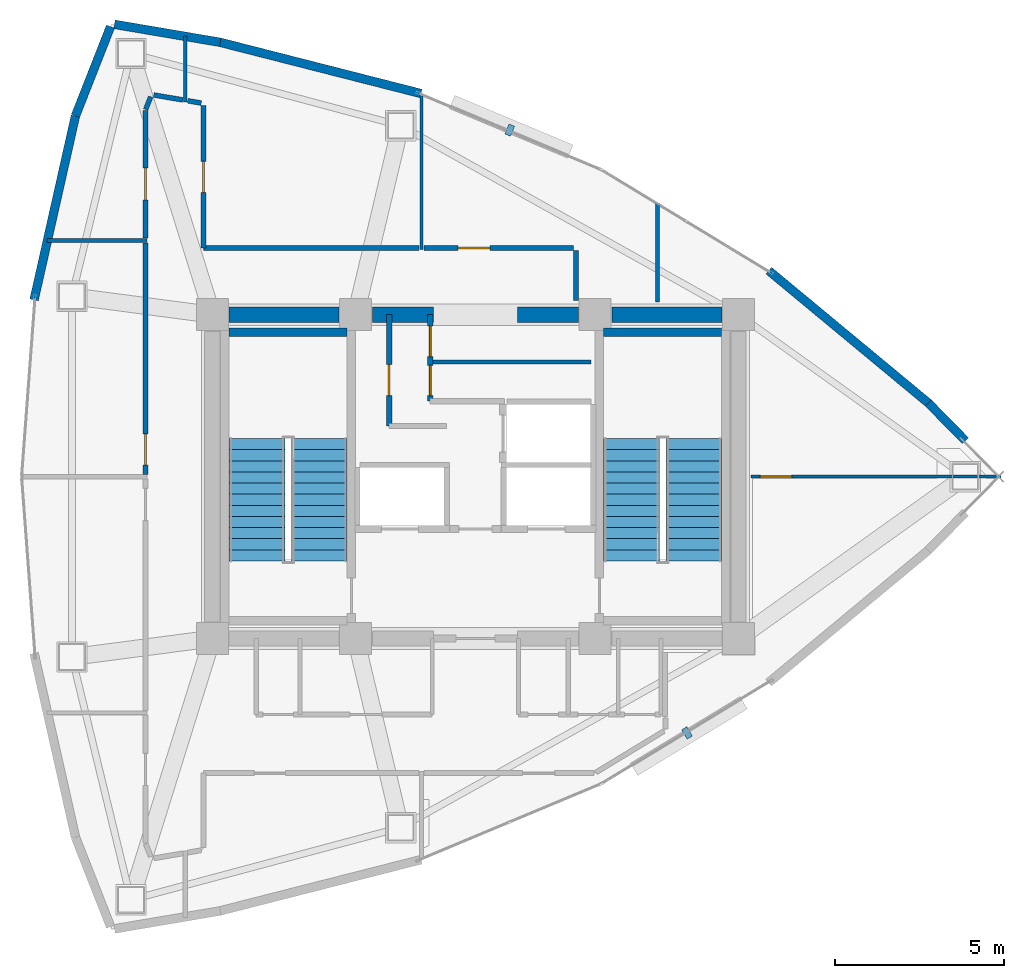
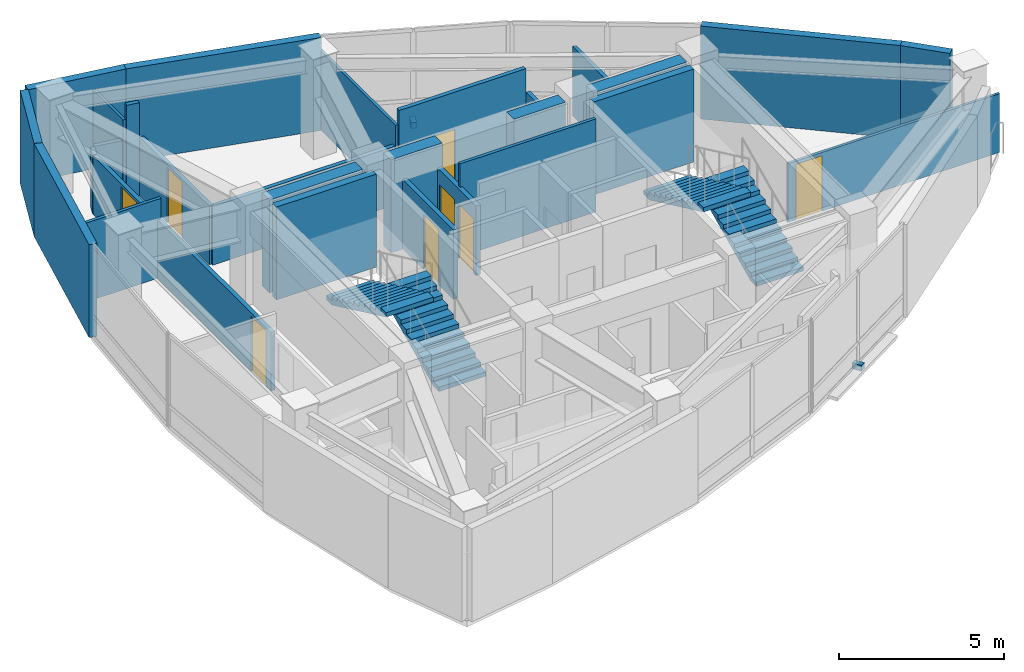
# One storey, part 13 of 15: 29 walls, 8 doors, 4 stair flights, 2 discrete accessories, 8 openings, 2 elements without a shape of their own.
"""IFC4 building model written with IfcOpenShell, lengths in metres."""

from ifc_helpers import new_model, si_unit, direction, frame, frame_2d, origin, origin_2d, place, context, subcontext, project, spatial, polyline, rectangle, outline, extrude, material, layer, layer_set, type_object, element, fill, aggregate, save


model = new_model("IFC4")

# Units and contexts
model_context = context("Model", 3, precision=1e-05, world=origin(), true_north=direction((0.0, 1.0)))
body_context = subcontext(model_context, "Body", "Model", "MODEL_VIEW")
ifc_project = project(units=[si_unit("LENGTHUNIT", "METRE"), si_unit("AREAUNIT", "SQUARE_METRE"), si_unit("VOLUMEUNIT", "CUBIC_METRE"), si_unit("PLANEANGLEUNIT", "RADIAN"), si_unit("MASSUNIT", "GRAM", prefix="KILO")], contexts=[model_context])

# Site, building, storey
site_placement = place(None, origin())
site = spatial("IfcSite", under=ifc_project, at=site_placement, CompositionType="ELEMENT")
building_placement = place(site_placement, origin())
building = spatial("IfcBuilding", under=site, at=building_placement, Name="Menara Vayukalpa", CompositionType="ELEMENT")
storey_placement = place(building_placement, frame((0.0, 0.0, 295.5)))
storey = spatial("IfcBuildingStorey", under=building, at=storey_placement, Name="L75", CompositionType="ELEMENT", Elevation=295.5)

# Walls
ifc_material_1 = material(Name="Concrete C50/60", Category="concrete")
ifc_layer_1 = layer(ifc_material_1, 0.449951171875)
ifc_layer_set_1 = layer_set([ifc_layer_1], Name="Concrete C50/60")
wall_type_1 = type_object("IfcWallType", Name="WAL-CW450", PredefinedType="SHEAR", material=ifc_layer_set_1)
wall_1_placement = place(storey_placement, frame((18.294921875, 26.800048828125, 0.0), z_axis=(0.0, 0.0, 1.0), x_axis=(1.0, 0.0, 0.0)))
element("IfcWall", 1, at=wall_1_placement, inside=storey, type_object=wall_type_1, Name="L75 Buttressed Core Shear Wall CWN1", PredefinedType="SHEAR", context=body_context, shape_type="SweptSolid", body=[
    extrude(rectangle(XDim=3.260009765625, YDim=0.449951171875, at=frame_2d((1.6298828125, 0.0))), origin(), (0.0, 0.0, 1.0), 3.43994140625),
])
wall_2_placement = place(storey_placement, frame((22.544921875, 26.800048828125, 0.0), z_axis=(0.0, 0.0, 1.0), x_axis=(1.0, 0.0, 0.0)))
element("IfcWall", 2, at=wall_2_placement, inside=storey, type_object=wall_type_1, Name="L75 Buttressed Core Shear Wall CWN2", PredefinedType="SHEAR", context=body_context, shape_type="SweptSolid", body=[
    extrude(rectangle(XDim=1.80517578125, YDim=0.449951171875, at=frame_2d((0.902587890625, 0.0))), origin(), (0.0, 0.0, 1.0), 3.43994140625),
])
wall_3_placement = place(storey_placement, frame((26.85009765625, 26.800048828125, 0.0), z_axis=(0.0, 0.0, 1.0), x_axis=(1.0, 0.0, 0.0)))
element("IfcWall", 3, at=wall_3_placement, inside=storey, type_object=wall_type_1, Name="L75 Buttressed Core Shear Wall CWN3", PredefinedType="SHEAR", context=body_context, shape_type="SweptSolid", body=[
    extrude(rectangle(XDim=1.804931640625, YDim=0.449951171875, at=frame_2d((0.90234375, 0.0))), origin(), (0.0, 0.0, 1.0), 3.43994140625),
])
wall_4_placement = place(storey_placement, frame((29.64501953125, 26.800048828125, 0.0), z_axis=(0.0, 0.0, 1.0), x_axis=(1.0, 0.0, 0.0)))
element("IfcWall", 4, at=wall_4_placement, inside=storey, type_object=wall_type_1, Name="L75 Buttressed Core Shear Wall CWN4", PredefinedType="SHEAR", context=body_context, shape_type="SweptSolid", body=[
    extrude(rectangle(XDim=3.260009765625, YDim=0.449951171875, at=frame_2d((1.6298828125, 0.0))), origin(), (0.0, 0.0, 1.0), 3.43994140625),
])
ifc_material_2 = material(Name="Insulated Precast Concrete C40/50", Category="concrete")
ifc_layer_2 = layer(ifc_material_2, 0.260009765625)
ifc_layer_set_2 = layer_set([ifc_layer_2], Name="Insulated Precast Concrete C40/50")
wall_type_2 = type_object("IfcWallType", Name="WAL-EXT260", PredefinedType="PARTITIONING", material=ifc_layer_set_2)
wall_5_placement = place(storey_placement, frame((39.023681640625, 24.188232421875, 0.0), z_axis=(0.0, 0.0, 1.0), x_axis=(0.700470648387, -0.71368121087, 0.0)))
element("IfcWall", 5, at=wall_5_placement, inside=storey, type_object=wall_type_2, Name="L75 Perimeter Terracotta Pier Wall 02", PredefinedType="PARTITIONING", context=body_context, shape_type="SweptSolid", body=[
    extrude(rectangle(XDim=1.57080078125, YDim=0.260009765625, at=frame_2d((0.785400390625, 0.0))), origin(), (0.0, 0.0, 1.0), 3.43994140625),
])
wall_6_placement = place(storey_placement, frame((34.295166015625, 28.1083984375, 0.0), z_axis=(0.0, 0.0, 1.0), x_axis=(0.769779830138, -0.638309496337, 0.0)))
element("IfcWall", 6, at=wall_6_placement, inside=storey, type_object=wall_type_2, Name="L75 Perimeter Terracotta Pier Wall 03", PredefinedType="PARTITIONING", context=body_context, shape_type="SweptSolid", body=[
    extrude(rectangle(XDim=6.154052734375, YDim=0.260009765625, at=frame_2d((3.0771484375, 0.0))), origin(), (0.0, 0.0, 1.0), 3.43994140625),
])
wall_7_placement = place(storey_placement, frame((18.0244140625, 34.878662109375, 0.0), z_axis=(0.0, 0.0, 1.0), x_axis=(0.968988278672, -0.247106689096, 0.0)))
element("IfcWall", 7, at=wall_7_placement, inside=storey, type_object=wall_type_2, Name="L75 Perimeter Terracotta Pier Wall 06", PredefinedType="PARTITIONING", context=body_context, shape_type="SweptSolid", body=[
    extrude(rectangle(XDim=6.154296875, YDim=0.260009765625, at=frame_2d((3.0771484375, 0.0))), origin(), (0.0, 0.0, 1.0), 3.43994140625),
])
wall_8_placement = place(storey_placement, frame((14.900146484375, 35.40869140625, 0.0), z_axis=(0.0, 0.0, 1.0), x_axis=(0.985889432766, -0.167397808709, 0.0)))
element("IfcWall", 8, at=wall_8_placement, inside=storey, type_object=wall_type_2, Name="L75 Perimeter Terracotta Pier Wall 07", PredefinedType="PARTITIONING", context=body_context, shape_type="SweptSolid", body=[
    extrude(rectangle(XDim=3.180908203125, YDim=0.260009765625, at=frame_2d((1.59033203125, 0.0))), origin(), (0.0, 0.0, 1.0), 3.43994140625),
])
wall_9_placement = place(storey_placement, frame((13.741943359375, 32.693359375, 0.0), z_axis=(0.0, 0.0, 1.0), x_axis=(0.36559927932, 0.930772349697, 0.0)))
element("IfcWall", 9, at=wall_9_placement, inside=storey, type_object=wall_type_2, Name="L75 Perimeter Terracotta Pier Wall 08", PredefinedType="PARTITIONING", context=body_context, shape_type="SweptSolid", body=[
    extrude(rectangle(XDim=2.845458984375, YDim=0.260009765625, at=frame_2d((1.4228515625, 0.0))), origin(), (0.0, 0.0, 1.0), 3.43994140625),
])
wall_10_placement = place(storey_placement, frame((12.514892578125, 27.239501953125, 0.0), z_axis=(0.0, 0.0, 1.0), x_axis=(0.219500763731, 0.97561232809, 0.0)))
element("IfcWall", 10, at=wall_10_placement, inside=storey, type_object=wall_type_2, Name="L75 Perimeter Terracotta Pier Wall 09", PredefinedType="PARTITIONING", context=body_context, shape_type="SweptSolid", body=[
    extrude(rectangle(XDim=5.590087890625, YDim=0.260009765625, at=frame_2d((2.794921875, 0.0))), origin(), (0.0, 0.0, 1.0), 3.43994140625),
])

# Wall, opening, door
ifc_material_3 = material(Name="Lightweight Concrete Blockwork C16/20", Category="masonry")
ifc_layer_3 = layer(ifc_material_3, 0.159912109375)
ifc_layer_set_3 = layer_set([ifc_layer_3], Name="Lightweight Concrete Blockwork C16/20")
wall_type_3 = type_object("IfcWallType", Name="WAL-FR150", PredefinedType="PARTITIONING", material=ifc_layer_set_3)
wall_11_placement = place(storey_placement, frame((23.0400390625, 23.5, 0.0), z_axis=(0.0, 0.0, 1.0), x_axis=(0.0, 1.0, 0.0)))
wall_11 = element("IfcWall", 11, at=wall_11_placement, inside=storey, type_object=wall_type_3, Name="L75 Interior Partition IW-L75-LV7WB", PredefinedType="PARTITIONING", context=body_context, shape_type="SweptSolid", body=[
    extrude(rectangle(XDim=3.300048828125, YDim=0.159912109375, at=frame_2d((1.64990234375, 0.0))), origin(), (0.0, 0.0, 1.0), 2.570068359375),
])
opening_1_placement = place(wall_11_placement, frame((0.89990234375, 0.0, 0.0)))
opening_1 = element("IfcOpeningElement", 12, at=opening_1_placement, cuts=wall_11, Name="Opening ID6", PredefinedType="OPENING", context=body_context, shape_type="SweptSolid", body=[
    extrude(rectangle(XDim=0.919921875, YDim=2.050048828125, at=frame_2d((0.4599609375, 1.02490234375))), frame((0.0, 0.08984375, 0.0), z_axis=(0.0, -1.0, 0.0), x_axis=(1.0, 0.0, 0.0)), (0.0, 0.0, 1.0), 0.179931640625),
])
ifc_material_4 = material(Name="Acoustic Hardwood Veneer Timber Door", Category="wood")
door_type_1 = type_object("IfcDoorType", Name="DR-INT92", OperationType="NOTDEFINED", PredefinedType="DOOR", material=ifc_material_4)
door_1_placement = place(opening_1_placement, origin())
door_1 = element("IfcDoor", 13, at=door_1_placement, inside=storey, type_object=door_type_1, Name="L75 Interior Door DR-L75-LV7W", OperationType="SINGLE_SWING_LEFT", OverallHeight=2.050048828125, OverallWidth=0.919921875, PredefinedType="DOOR", context=body_context, shape_type="SweptSolid", body=[
    extrude(rectangle(XDim=0.919921875, YDim=2.050048828125, at=frame_2d((0.4599609375, 1.02490234375))), frame((0.0, 0.02490234375, 0.0), z_axis=(0.0, -1.0, 0.0), x_axis=(1.0, 0.0, 0.0)), (0.0, 0.0, 1.0), 0.050048828125),
])
fill(opening_1, door_1)

# Wall, openings, doors
wall_12_placement = place(storey_placement, frame((24.260009765625, 24.239990234375, 0.0), z_axis=(0.0, 0.0, 1.0), x_axis=(0.0, 1.0, 0.0)))
wall_12 = element("IfcWall", 14, at=wall_12_placement, inside=storey, type_object=wall_type_3, Name="L75 Interior Partition IW-L75-LV7EB", PredefinedType="PARTITIONING", context=body_context, shape_type="SweptSolid", body=[
    extrude(rectangle(XDim=2.56005859375, YDim=0.159912109375, at=frame_2d((1.280029296875, 0.0))), origin(), (0.0, 0.0, 1.0), 2.570068359375),
])
opening_2_placement = place(wall_12_placement, frame((0.159912109375, 0.0, 0.0)))
opening_2 = element("IfcOpeningElement", 15, at=opening_2_placement, cuts=wall_12, Name="Opening ID7", PredefinedType="OPENING", context=body_context, shape_type="SweptSolid", body=[
    extrude(rectangle(XDim=0.89990234375, YDim=2.02001953125, at=frame_2d((0.449951171875, 1.010009765625))), frame((0.0, 0.08984375, 0.0), z_axis=(0.0, -1.0, 0.0), x_axis=(1.0, 0.0, 0.0)), (0.0, 0.0, 1.0), 0.179931640625),
])
opening_3_placement = place(wall_12_placement, frame((1.320068359375, 0.0, 0.0)))
opening_3 = element("IfcOpeningElement", 16, at=opening_3_placement, cuts=wall_12, Name="Opening ID7", PredefinedType="OPENING", context=body_context, shape_type="SweptSolid", body=[
    extrude(rectangle(XDim=0.89990234375, YDim=2.02001953125, at=frame_2d((0.449951171875, 1.010009765625))), frame((0.0, 0.08984375, 0.0), z_axis=(0.0, -1.0, 0.0), x_axis=(1.0, 0.0, 0.0)), (0.0, 0.0, 1.0), 0.179931640625),
])
ifc_material_5 = material(Name="Powder-Coated Steel Riser Access Door", Category="steel")
door_type_2 = type_object("IfcDoorType", Name="DR-RISER", OperationType="NOTDEFINED", PredefinedType="DOOR", material=ifc_material_5)
door_2_placement = place(opening_2_placement, origin())
door_2 = element("IfcDoor", 17, at=door_2_placement, inside=storey, type_object=door_type_2, Name="L75 Interior Door DR-L75-LV7E1", OperationType="SINGLE_SWING_RIGHT", OverallHeight=2.02001953125, OverallWidth=0.89990234375, PredefinedType="DOOR", context=body_context, shape_type="SweptSolid", body=[
    extrude(rectangle(XDim=0.89990234375, YDim=2.02001953125, at=frame_2d((0.449951171875, 1.010009765625))), frame((0.0, 0.02490234375, 0.0), z_axis=(0.0, -1.0, 0.0), x_axis=(1.0, 0.0, 0.0)), (0.0, 0.0, 1.0), 0.050048828125),
])
fill(opening_2, door_2)
door_3_placement = place(opening_3_placement, origin())
door_3 = element("IfcDoor", 18, at=door_3_placement, inside=storey, type_object=door_type_2, Name="L75 Interior Door DR-L75-LV7E2", OperationType="SINGLE_SWING_LEFT", OverallHeight=2.02001953125, OverallWidth=0.89990234375, PredefinedType="DOOR", context=body_context, shape_type="SweptSolid", body=[
    extrude(rectangle(XDim=0.89990234375, YDim=2.02001953125, at=frame_2d((0.449951171875, 1.010009765625))), frame((0.0, 0.02490234375, 0.0), z_axis=(0.0, -1.0, 0.0), x_axis=(1.0, 0.0, 0.0)), (0.0, 0.0, 1.0), 0.050048828125),
])
fill(opening_3, door_3)

# Walls
ifc_material_6 = material(Name="Glazed Demountable Office Partition", Category="glass")
ifc_layer_4 = layer(ifc_material_6, 0.094970703125)
ifc_layer_set_4 = layer_set([ifc_layer_4], Name="Glazed Demountable Office Partition")
wall_type_4 = type_object("IfcWallType", Name="WAL-PT100", PredefinedType="PARTITIONING", material=ifc_layer_set_4)
wall_13_placement = place(storey_placement, frame((17.0, 33.1044921875, 0.0), z_axis=(0.0, 0.0, 1.0), x_axis=(0.0, 1.0, 0.0)))
element("IfcWall", 19, at=wall_13_placement, inside=storey, type_object=wall_type_4, Name="L75 Interior Partition IW-L75-RDIV02", PredefinedType="PARTITIONING", context=body_context, shape_type="SweptSolid", body=[
    extrude(rectangle(XDim=1.957763671875, YDim=0.094970703125, at=frame_2d((0.97900390625, 0.0))), origin(), (0.0, 0.0, 1.0), 2.919921875),
])
wall_14_placement = place(storey_placement, frame((24.0, 28.72998046875, 0.0), z_axis=(0.0, 0.0, 1.0), x_axis=(0.0, 1.0, 0.0)))
element("IfcWall", 20, at=wall_14_placement, inside=storey, type_object=wall_type_4, Name="L75 Interior Partition IW-L75-RDIV04", PredefinedType="PARTITIONING", context=body_context, shape_type="SweptSolid", body=[
    extrude(rectangle(XDim=4.6162109375, YDim=0.094970703125, at=frame_2d((2.30810546875, 0.0))), origin(), (0.0, 0.0, 1.0), 2.919921875),
])

# Wall, opening, door
wall_15_placement = place(storey_placement, frame((33.77001953125, 22.0, 0.0), z_axis=(0.0, 0.0, 1.0), x_axis=(1.0, 0.0, 0.0)))
wall_15 = element("IfcWall", 21, at=wall_15_placement, inside=storey, type_object=wall_type_4, Name="L75 Interior Partition IW-L75-RDIV08", PredefinedType="PARTITIONING", context=body_context, shape_type="SweptSolid", body=[
    extrude(rectangle(XDim=7.411865234375, YDim=0.094970703125, at=frame_2d((3.7060546875, 0.0))), origin(), (0.0, 0.0, 1.0), 2.169921875),
])
opening_4_placement = place(wall_15_placement, frame((0.280029296875, 0.0, 0.0)))
opening_4 = element("IfcOpeningElement", 22, at=opening_4_placement, cuts=wall_15, Name="Opening ID6", PredefinedType="OPENING", context=body_context, shape_type="SweptSolid", body=[
    extrude(rectangle(XDim=0.919921875, YDim=2.050048828125, at=frame_2d((0.4599609375, 1.02490234375))), frame((0.0, 0.057373046875, 0.0), z_axis=(0.0, -1.0, 0.0), x_axis=(1.0, 0.0, 0.0)), (0.0, 0.0, 1.0), 0.114990234375),
])
door_4_placement = place(opening_4_placement, origin())
door_4 = element("IfcDoor", 23, at=door_4_placement, inside=storey, type_object=door_type_1, Name="L75 Interior Door DR-L75-STE06", OperationType="SINGLE_SWING_LEFT", OverallHeight=2.050048828125, OverallWidth=0.919921875, PredefinedType="DOOR", context=body_context, shape_type="SweptSolid", body=[
    extrude(rectangle(XDim=0.919921875, YDim=2.050048828125, at=frame_2d((0.4599609375, 1.02490234375))), frame((0.0, 0.02490234375, 0.0), z_axis=(0.0, -1.0, 0.0), x_axis=(1.0, 0.0, 0.0)), (0.0, 0.0, 1.0), 0.050048828125),
])
fill(opening_4, door_4)

# Walls
ifc_material_7 = material(Name="Acoustic Mineral Stud Partition", Category="masonry")
ifc_layer_5 = layer(ifc_material_7, 0.110107421875)
ifc_layer_set_5 = layer_set([ifc_layer_5], Name="Acoustic Mineral Stud Partition")
wall_type_5 = type_object("IfcWallType", Name="WAL-PT110", PredefinedType="PARTITIONING", material=ifc_layer_set_5)
wall_16_placement = place(storey_placement, frame((24.260009765625, 25.39990234375, 0.0), z_axis=(0.0, 0.0, 1.0), x_axis=(1.0, 0.0, 0.0)))
element("IfcWall", 24, at=wall_16_placement, inside=storey, type_object=wall_type_5, Name="L75 Interior Partition IW-L75-LV7EM", PredefinedType="PARTITIONING", context=body_context, shape_type="SweptSolid", body=[
    extrude(rectangle(XDim=4.760009765625, YDim=0.110107421875, at=frame_2d((2.3798828125, 0.0))), origin(), (0.0, 0.0, 1.0), 3.43994140625),
])
wall_17_placement = place(storey_placement, frame((12.900634765625, 29.0, 0.0), z_axis=(0.0, 0.0, 1.0), x_axis=(1.0, 0.0, 0.0)))
element("IfcWall", 25, at=wall_17_placement, inside=storey, type_object=wall_type_5, Name="L75 Interior Partition IW-L75-RDIV09", PredefinedType="PARTITIONING", context=body_context, shape_type="SweptSolid", body=[
    extrude(rectangle(XDim=2.969482421875, YDim=0.110107421875, at=frame_2d((1.48486328125, 0.0))), origin(), (0.0, 0.0, 1.0), 2.919921875),
])
ifc_material_8 = material(Name="Gypsum Drywall Steel Stud Assembly", Category="steel")
ifc_layer_6 = layer(ifc_material_8, 0.125)
ifc_layer_set_6 = layer_set([ifc_layer_6], Name="Gypsum Drywall Steel Stud Assembly")
wall_type_6 = type_object("IfcWallType", Name="WAL-PT125", PredefinedType="PARTITIONING", material=ifc_layer_set_6)
wall_18_placement = place(storey_placement, frame((31.0, 27.169921875, 0.0), z_axis=(0.0, 0.0, 1.0), x_axis=(0.0, 1.0, 0.0)))
element("IfcWall", 26, at=wall_18_placement, inside=storey, type_object=wall_type_6, Name="L75 Interior Partition IW-L75-RDIV05", PredefinedType="PARTITIONING", context=body_context, shape_type="SweptSolid", body=[
    extrude(rectangle(XDim=2.933349609375, YDim=0.125, at=frame_2d((1.466796875, 0.0))), origin(), (0.0, 0.0, 1.0), 2.570068359375),
])
ifc_material_9 = material(Name="Gypsum Drywall Acoustic Stud Assembly", Category="masonry")
ifc_layer_7 = layer(ifc_material_9, 0.14501953125)
ifc_layer_set_7 = layer_set([ifc_layer_7], Name="Gypsum Drywall Acoustic Stud Assembly")
wall_type_7 = type_object("IfcWallType", Name="WAL-PT150", PredefinedType="PARTITIONING", material=ifc_layer_set_7)
wall_19_placement = place(storey_placement, frame((28.580078125, 27.219970703125, 0.0), z_axis=(0.0, 0.0, 1.0), x_axis=(0.0, 1.0, 0.0)))
element("IfcWall", 27, at=wall_19_placement, inside=storey, type_object=wall_type_7, Name="L75 Interior Partition IW-L75-CRM07-1", PredefinedType="PARTITIONING", context=body_context, shape_type="SweptSolid", body=[
    extrude(rectangle(XDim=1.47998046875, YDim=0.14501953125, at=frame_2d((0.739990234375, 0.0))), origin(), (0.0, 0.0, 1.0), 2.570068359375),
])

# Wall, opening, door
wall_20_placement = place(storey_placement, frame((28.5, 28.780029296875, 0.0), z_axis=(0.0, 0.0, 1.0), x_axis=(-1.0, 0.0, 0.0)))
wall_20 = element("IfcWall", 28, at=wall_20_placement, inside=storey, type_object=wall_type_7, Name="L75 Interior Partition IW-L75-CRM07-2", PredefinedType="PARTITIONING", context=body_context, shape_type="SweptSolid", body=[
    extrude(rectangle(XDim=4.429931640625, YDim=0.14501953125, at=frame_2d((2.21484375, 0.0))), origin(), (0.0, 0.0, 1.0), 3.43994140625),
])
opening_5_placement = place(wall_20_placement, frame((2.469970703125, 0.0, 0.0)))
opening_5 = element("IfcOpeningElement", 29, at=opening_5_placement, cuts=wall_20, Name="Opening ID5", PredefinedType="OPENING", context=body_context, shape_type="SweptSolid", body=[
    extrude(rectangle(XDim=0.949951171875, YDim=2.06005859375, at=frame_2d((0.47509765625, 1.030029296875))), frame((0.0, 0.08251953125, 0.0), z_axis=(0.0, -1.0, 0.0), x_axis=(1.0, 0.0, 0.0)), (0.0, 0.0, 1.0), 0.1650390625),
])
ifc_material_10 = material(Name="Acoustic Hardwood Veneer Timber Door", Category="wood")
door_type_3 = type_object("IfcDoorType", Name="DR-INT95", OperationType="NOTDEFINED", PredefinedType="DOOR", material=ifc_material_10)
door_5_placement = place(opening_5_placement, origin())
door_5 = element("IfcDoor", 30, at=door_5_placement, inside=storey, type_object=door_type_3, Name="L75 Interior Door DR-L75-RM07", OperationType="SINGLE_SWING_LEFT", OverallHeight=2.06005859375, OverallWidth=0.949951171875, PredefinedType="DOOR", context=body_context, shape_type="SweptSolid", body=[
    extrude(rectangle(XDim=0.949951171875, YDim=2.06005859375, at=frame_2d((0.47509765625, 1.030029296875))), frame((0.0, 0.02490234375, 0.0), z_axis=(0.0, -1.0, 0.0), x_axis=(1.0, 0.0, 0.0)), (0.0, 0.0, 1.0), 0.050048828125),
])
fill(opening_5, door_5)

# Wall
wall_21_placement = place(storey_placement, frame((23.929931640625, 28.780029296875, 0.0), z_axis=(0.0, 0.0, 1.0), x_axis=(-1.0, 0.0, 0.0)))
element("IfcWall", 31, at=wall_21_placement, inside=storey, type_object=wall_type_7, Name="L75 Interior Partition IW-L75-CRM08-1", PredefinedType="PARTITIONING", context=body_context, shape_type="SweptSolid", body=[
    extrude(rectangle(XDim=6.389892578125, YDim=0.14501953125, at=frame_2d((3.19482421875, 0.0))), origin(), (0.0, 0.0, 1.0), 2.169921875),
])

# Wall, opening, door
wall_22_placement = place(storey_placement, frame((17.5400390625, 28.780029296875, 0.0), z_axis=(0.0, 0.0, 1.0), x_axis=(0.0, 1.0, 0.0)))
wall_22 = element("IfcWall", 32, at=wall_22_placement, inside=storey, type_object=wall_type_7, Name="L75 Interior Partition IW-L75-CRM08-2", PredefinedType="PARTITIONING", context=body_context, shape_type="SweptSolid", body=[
    extrude(rectangle(XDim=4.216064453125, YDim=0.14501953125, at=frame_2d((2.10791015625, 0.0))), origin(), (0.0, 0.0, 1.0), 2.169921875),
])
opening_6_placement = place(wall_22_placement, frame((1.64794921875, 0.0, 0.0)))
opening_6 = element("IfcOpeningElement", 33, at=opening_6_placement, cuts=wall_22, Name="Opening ID6", PredefinedType="OPENING", context=body_context, shape_type="SweptSolid", body=[
    extrude(rectangle(XDim=0.919921875, YDim=2.050048828125, at=frame_2d((0.4599609375, 1.02490234375))), frame((0.0, 0.08251953125, 0.0), z_axis=(0.0, -1.0, 0.0), x_axis=(1.0, 0.0, 0.0)), (0.0, 0.0, 1.0), 0.1650390625),
])
door_6_placement = place(opening_6_placement, origin())
door_6 = element("IfcDoor", 34, at=door_6_placement, inside=storey, type_object=door_type_1, Name="L75 Interior Door DR-L75-RM08", OperationType="SINGLE_SWING_RIGHT", OverallHeight=2.050048828125, OverallWidth=0.919921875, PredefinedType="DOOR", context=body_context, shape_type="SweptSolid", body=[
    extrude(rectangle(XDim=0.919921875, YDim=2.050048828125, at=frame_2d((0.4599609375, 1.02490234375))), frame((0.0, 0.02490234375, 0.0), z_axis=(0.0, -1.0, 0.0), x_axis=(1.0, 0.0, 0.0)), (0.0, 0.0, 1.0), 0.050048828125),
])
fill(opening_6, door_6)

# Walls
wall_23_placement = place(storey_placement, frame((17.473388671875, 33.074951171875, 0.0), z_axis=(0.0, 0.0, 1.0), x_axis=(-0.985840066474, 0.167688292179, 0.0)))
element("IfcWall", 35, at=wall_23_placement, inside=storey, type_object=wall_type_7, Name="L75 Interior Partition IW-L75-CRM08-3", PredefinedType="PARTITIONING", context=body_context, shape_type="SweptSolid", body=[
    extrude(rectangle(XDim=0.4091796875, YDim=0.14501953125, at=frame_2d((0.20458984375, 0.0))), origin(), (0.0, 0.0, 1.0), 3.43994140625),
])
wall_24_placement = place(storey_placement, frame((16.929931640625, 33.167236328125, 0.0), z_axis=(0.0, 0.0, 1.0), x_axis=(-0.985878779942, 0.167460536424, 0.0)))
element("IfcWall", 36, at=wall_24_placement, inside=storey, type_object=wall_type_7, Name="L75 Interior Partition IW-L75-CRM09-1", PredefinedType="PARTITIONING", context=body_context, shape_type="SweptSolid", body=[
    extrude(rectangle(XDim=0.879150390625, YDim=0.14501953125, at=frame_2d((0.439453125, 0.0))), origin(), (0.0, 0.0, 1.0), 2.169921875),
])
wall_25_placement = place(storey_placement, frame((15.975341796875, 33.2646484375, 0.0), z_axis=(0.0, 0.0, 1.0), x_axis=(-0.365633948196, -0.930758731319, 0.0)))
element("IfcWall", 37, at=wall_25_placement, inside=storey, type_object=wall_type_7, Name="L75 Interior Partition IW-L75-CRM09-2", PredefinedType="PARTITIONING", context=body_context, shape_type="SweptSolid", body=[
    extrude(rectangle(XDim=0.409912109375, YDim=0.14501953125, at=frame_2d((0.205078125, 0.0))), origin(), (0.0, 0.0, 1.0), 2.169921875),
])

# Wall, opening, door
wall_26_placement = place(storey_placement, frame((15.820068359375, 32.853759765625, 0.0), z_axis=(0.0, 0.0, 1.0), x_axis=(0.0, -1.0, 0.0)))
wall_26 = element("IfcWall", 38, at=wall_26_placement, inside=storey, type_object=wall_type_7, Name="L75 Interior Partition IW-L75-CRM09-3", PredefinedType="PARTITIONING", context=body_context, shape_type="SweptSolid", body=[
    extrude(rectangle(XDim=3.78369140625, YDim=0.14501953125, at=frame_2d((1.891845703125, 0.0))), origin(), (0.0, 0.0, 1.0), 2.169921875),
])
opening_7_placement = place(wall_26_placement, frame((1.701171875, 0.0, 0.0)))
opening_7 = element("IfcOpeningElement", 39, at=opening_7_placement, cuts=wall_26, Name="Opening ID5", PredefinedType="OPENING", context=body_context, shape_type="SweptSolid", body=[
    extrude(rectangle(XDim=0.949951171875, YDim=2.06005859375, at=frame_2d((0.47509765625, 1.030029296875))), frame((0.0, 0.08251953125, 0.0), z_axis=(0.0, -1.0, 0.0), x_axis=(1.0, 0.0, 0.0)), (0.0, 0.0, 1.0), 0.1650390625),
])
door_7_placement = place(opening_7_placement, origin())
door_7 = element("IfcDoor", 40, at=door_7_placement, inside=storey, type_object=door_type_3, Name="L75 Interior Door DR-L75-RM09", OperationType="SINGLE_SWING_LEFT", OverallHeight=2.06005859375, OverallWidth=0.949951171875, PredefinedType="DOOR", context=body_context, shape_type="SweptSolid", body=[
    extrude(rectangle(XDim=0.949951171875, YDim=2.06005859375, at=frame_2d((0.47509765625, 1.030029296875))), frame((0.0, 0.02490234375, 0.0), z_axis=(0.0, -1.0, 0.0), x_axis=(1.0, 0.0, 0.0)), (0.0, 0.0, 1.0), 0.050048828125),
])
fill(opening_7, door_7)

wall_27_placement = place(storey_placement, frame((15.820068359375, 28.929931640625, 0.0), z_axis=(0.0, 0.0, 1.0), x_axis=(0.0, -1.0, 0.0)))
wall_27 = element("IfcWall", 41, at=wall_27_placement, inside=storey, type_object=wall_type_7, Name="L75 Interior Partition IW-L75-CRM10-1", PredefinedType="PARTITIONING", context=body_context, shape_type="SweptSolid", body=[
    extrude(rectangle(XDim=6.85986328125, YDim=0.14501953125, at=frame_2d((3.429931640625, 0.0))), origin(), (0.0, 0.0, 1.0), 2.169921875),
])
opening_8_placement = place(wall_27_placement, frame((5.659912109375, 0.0, 0.0)))
opening_8 = element("IfcOpeningElement", 42, at=opening_8_placement, cuts=wall_27, Name="Opening ID6", PredefinedType="OPENING", context=body_context, shape_type="SweptSolid", body=[
    extrude(rectangle(XDim=0.919921875, YDim=2.050048828125, at=frame_2d((0.4599609375, 1.02490234375))), frame((0.0, 0.08251953125, 0.0), z_axis=(0.0, -1.0, 0.0), x_axis=(1.0, 0.0, 0.0)), (0.0, 0.0, 1.0), 0.1650390625),
])
door_8_placement = place(opening_8_placement, origin())
door_8 = element("IfcDoor", 43, at=door_8_placement, inside=storey, type_object=door_type_1, Name="L75 Interior Door DR-L75-RM10", OperationType="SINGLE_SWING_RIGHT", OverallHeight=2.050048828125, OverallWidth=0.919921875, PredefinedType="DOOR", context=body_context, shape_type="SweptSolid", body=[
    extrude(rectangle(XDim=0.919921875, YDim=2.050048828125, at=frame_2d((0.4599609375, 1.02490234375))), frame((0.0, 0.02490234375, 0.0), z_axis=(0.0, -1.0, 0.0), x_axis=(1.0, 0.0, 0.0)), (0.0, 0.0, 1.0), 0.050048828125),
])
fill(opening_8, door_8)

# Walls
ifc_material_11 = material(Name="Concrete C50/60", Category="concrete")
ifc_layer_8 = layer(ifc_material_11, 0.25)
ifc_layer_set_8 = layer_set([ifc_layer_8], Name="Concrete C50/60")
wall_type_8 = type_object("IfcWallType", Name="WAL-SW250", PredefinedType="SHEAR", material=ifc_layer_set_8)
for number, where, z_axis, x_axis, name in (
    (44, (18.300048828125, 26.27490234375, 0.0), (0.0, 0.0, 1.0), (1.0, 0.0, 0.0), "L75 ST1 Structural Stair Shaft Wall N"),
    (45, (29.39990234375, 26.27490234375, 0.0), (0.0, 0.0, 1.0), (1.0, 0.0, 0.0), "L75 ST2 Structural Stair Shaft Wall N"),
):
    element("IfcWall", number, at=place(storey_placement, frame(where, z_axis=z_axis, x_axis=x_axis)), inside=storey, type_object=wall_type_8, Name=name, PredefinedType="SHEAR", context=body_context, shape_type="SweptSolid", body=[
        extrude(rectangle(XDim=3.5, YDim=0.25, at=frame_2d((1.75, 0.0))), origin(), (0.0, 0.0, 1.0), 3.43994140625),
    ])

# Stair, stair flights
ifc_material_12 = material(Name="Precast Concrete C40/50", Category="concrete")
stair_type = type_object("IfcStairType", Name="STR-T04", PredefinedType="DOUBLE_RETURN_STAIR", material=ifc_material_12)
stair_1_placement = place(storey_placement, origin())
stair_1 = element("IfcStair", 46, at=stair_1_placement, inside=storey, type_object=stair_type, Name="L75 Core Exit Stair ST-1", PredefinedType="DOUBLE_RETURN_STAIR")
ifc_material_13 = material(Name="Precast Concrete C40/50", Category="concrete")
stair_flight_type = type_object("IfcStairFlightType", Name="STF-T04", PredefinedType="STRAIGHT", material=ifc_material_13)
stair_flight_1_placement = place(storey_placement, frame((20.97509765625, 19.5, 0.0), z_axis=(0.0, 0.0, 1.0), x_axis=(0.0, 1.0, 0.0)))
stair_flight_1 = element("IfcStairFlight", 47, at=stair_flight_1_placement, type_object=stair_flight_type, Name="ST-1 flight 1", NumberOfRisers=12, NumberOfTreads=11, PredefinedType="STRAIGHT", RiserHeight=0.155, TreadLength=0.33, context=body_context, shape_type="SweptSolid", body=[
    extrude(outline(polyline([(0.0, 0.0), (0.0, 0.155029296875), (0.330078125, 0.155029296875), (0.330078125, 0.31005859375), (0.659912109375, 0.31005859375), (0.659912109375, 0.465087890625), (0.989990234375, 0.465087890625), (0.989990234375, 0.6201171875), (1.320068359375, 0.6201171875), (1.320068359375, 0.77490234375), (1.64990234375, 0.77490234375), (1.64990234375, 0.929931640625), (1.97998046875, 0.929931640625), (1.97998046875, 1.0849609375), (2.31005859375, 1.0849609375), (2.31005859375, 1.239990234375), (2.639892578125, 1.239990234375), (2.639892578125, 1.39501953125), (2.969970703125, 1.39501953125), (2.969970703125, 1.550048828125), (3.300048828125, 1.550048828125), (3.300048828125, 1.705078125), (3.6298828125, 1.705078125), (3.6298828125, 1.860107421875), (3.6298828125, 1.539306640625), (0.3525390625, 0.0), (0.0, 0.0)])), frame((0.0, 0.824951171875, 0.0), z_axis=(0.0, -1.0, 0.0), x_axis=(1.0, 0.0, 0.0)), (0.0, 0.0, 1.0), 1.64990234375),
])
stair_flight_2_placement = place(storey_placement, frame((19.125, 23.1298828125, 1.860107421875), z_axis=(0.0, 0.0, 1.0), x_axis=(0.0, -1.0, 0.0)))
stair_flight_2 = element("IfcStairFlight", 48, at=stair_flight_2_placement, type_object=stair_flight_type, Name="ST-1 flight 2", NumberOfRisers=12, NumberOfTreads=11, PredefinedType="STRAIGHT", RiserHeight=0.155, TreadLength=0.33, context=body_context, shape_type="SweptSolid", body=[
    extrude(outline(polyline([(0.0, 0.0), (0.0, 0.155029296875), (0.330078125, 0.155029296875), (0.330078125, 0.31005859375), (0.659912109375, 0.31005859375), (0.659912109375, 0.465087890625), (0.989990234375, 0.465087890625), (0.989990234375, 0.6201171875), (1.320068359375, 0.6201171875), (1.320068359375, 0.77490234375), (1.64990234375, 0.77490234375), (1.64990234375, 0.929931640625), (1.97998046875, 0.929931640625), (1.97998046875, 1.0849609375), (2.31005859375, 1.0849609375), (2.31005859375, 1.239990234375), (2.639892578125, 1.239990234375), (2.639892578125, 1.39501953125), (2.969970703125, 1.39501953125), (2.969970703125, 1.550048828125), (3.300048828125, 1.550048828125), (3.300048828125, 1.705078125), (3.6298828125, 1.705078125), (3.6298828125, 1.860107421875), (3.6298828125, 1.539306640625), (0.3525390625, 0.0), (0.0, 0.0)])), frame((0.0, 0.824951171875, 0.0), z_axis=(0.0, -1.0, 0.0), x_axis=(1.0, 0.0, 0.0)), (0.0, 0.0, 1.0), 1.64990234375),
])
aggregate(stair_1, [stair_flight_1, stair_flight_2])

stair_2_placement = place(storey_placement, origin())
stair_2 = element("IfcStair", 49, at=stair_2_placement, inside=storey, type_object=stair_type, Name="L75 Core Exit Stair ST-2", PredefinedType="DOUBLE_RETURN_STAIR")
stair_flight_3_placement = place(storey_placement, frame((32.074951171875, 19.5, 0.0), z_axis=(0.0, 0.0, 1.0), x_axis=(0.0, 1.0, 0.0)))
stair_flight_3 = element("IfcStairFlight", 50, at=stair_flight_3_placement, type_object=stair_flight_type, Name="ST-2 flight 1", NumberOfRisers=12, NumberOfTreads=11, PredefinedType="STRAIGHT", RiserHeight=0.155, TreadLength=0.33, context=body_context, shape_type="SweptSolid", body=[
    extrude(outline(polyline([(0.0, 0.0), (0.0, 0.155029296875), (0.330078125, 0.155029296875), (0.330078125, 0.31005859375), (0.659912109375, 0.31005859375), (0.659912109375, 0.465087890625), (0.989990234375, 0.465087890625), (0.989990234375, 0.6201171875), (1.320068359375, 0.6201171875), (1.320068359375, 0.77490234375), (1.64990234375, 0.77490234375), (1.64990234375, 0.929931640625), (1.97998046875, 0.929931640625), (1.97998046875, 1.0849609375), (2.31005859375, 1.0849609375), (2.31005859375, 1.239990234375), (2.639892578125, 1.239990234375), (2.639892578125, 1.39501953125), (2.969970703125, 1.39501953125), (2.969970703125, 1.550048828125), (3.300048828125, 1.550048828125), (3.300048828125, 1.705078125), (3.6298828125, 1.705078125), (3.6298828125, 1.860107421875), (3.6298828125, 1.539306640625), (0.3525390625, 0.0), (0.0, 0.0)])), frame((0.0, 0.824951171875, 0.0), z_axis=(0.0, -1.0, 0.0), x_axis=(1.0, 0.0, 0.0)), (0.0, 0.0, 1.0), 1.64990234375),
])
stair_flight_4_placement = place(storey_placement, frame((30.22509765625, 23.1298828125, 1.860107421875), z_axis=(0.0, 0.0, 1.0), x_axis=(0.0, -1.0, 0.0)))
stair_flight_4 = element("IfcStairFlight", 51, at=stair_flight_4_placement, type_object=stair_flight_type, Name="ST-2 flight 2", NumberOfRisers=12, NumberOfTreads=11, PredefinedType="STRAIGHT", RiserHeight=0.155, TreadLength=0.33, context=body_context, shape_type="SweptSolid", body=[
    extrude(outline(polyline([(0.0, 0.0), (0.0, 0.155029296875), (0.330078125, 0.155029296875), (0.330078125, 0.31005859375), (0.659912109375, 0.31005859375), (0.659912109375, 0.465087890625), (0.989990234375, 0.465087890625), (0.989990234375, 0.6201171875), (1.320068359375, 0.6201171875), (1.320068359375, 0.77490234375), (1.64990234375, 0.77490234375), (1.64990234375, 0.929931640625), (1.97998046875, 0.929931640625), (1.97998046875, 1.0849609375), (2.31005859375, 1.0849609375), (2.31005859375, 1.239990234375), (2.639892578125, 1.239990234375), (2.639892578125, 1.39501953125), (2.969970703125, 1.39501953125), (2.969970703125, 1.550048828125), (3.300048828125, 1.550048828125), (3.300048828125, 1.705078125), (3.6298828125, 1.705078125), (3.6298828125, 1.860107421875), (3.6298828125, 1.539306640625), (0.3525390625, 0.0), (0.0, 0.0)])), frame((0.0, 0.824951171875, 0.0), z_axis=(0.0, -1.0, 0.0), x_axis=(1.0, 0.0, 0.0)), (0.0, 0.0, 1.0), 1.64990234375),
])
aggregate(stair_2, [stair_flight_3, stair_flight_4])

# Discrete accessories
ifc_material_14 = material(Name="Stainless Steel 316 Sunshade Bracket", Category="steel")
discrete_accessory_type = type_object("IfcDiscreteAccessoryType", Name="ACC-BRK1", PredefinedType="BRACKET", material=ifc_material_14)
for number, where, z_axis, x_axis, name in (
    (52, (26.61767578125, 32.272705078125, -0.16015625), (0.0, 0.0, 1.0), (-0.922538089456, 0.385906042324, 0.0), "L75 Terracotta Sunshade Bracket 05"),
    (53, (31.87109375, 14.402587890625, -0.16015625), (0.0, 0.0, 1.0), (0.85466730962, 0.519176068272, 0.0), "L75 Terracotta Sunshade Bracket 17"),
):
    element("IfcDiscreteAccessory", number, at=place(storey_placement, frame(where, z_axis=z_axis, x_axis=x_axis)), inside=storey, type_object=discrete_accessory_type, Name=name, PredefinedType="BRACKET", context=body_context, shape_type="SweptSolid", body=[
        extrude(rectangle(XDim=0.179931640625, YDim=0.320068359375, at=origin_2d()), origin(), (0.0, 0.0, 1.0), 0.219970703125),
    ])

save(model, "model.ifc")
